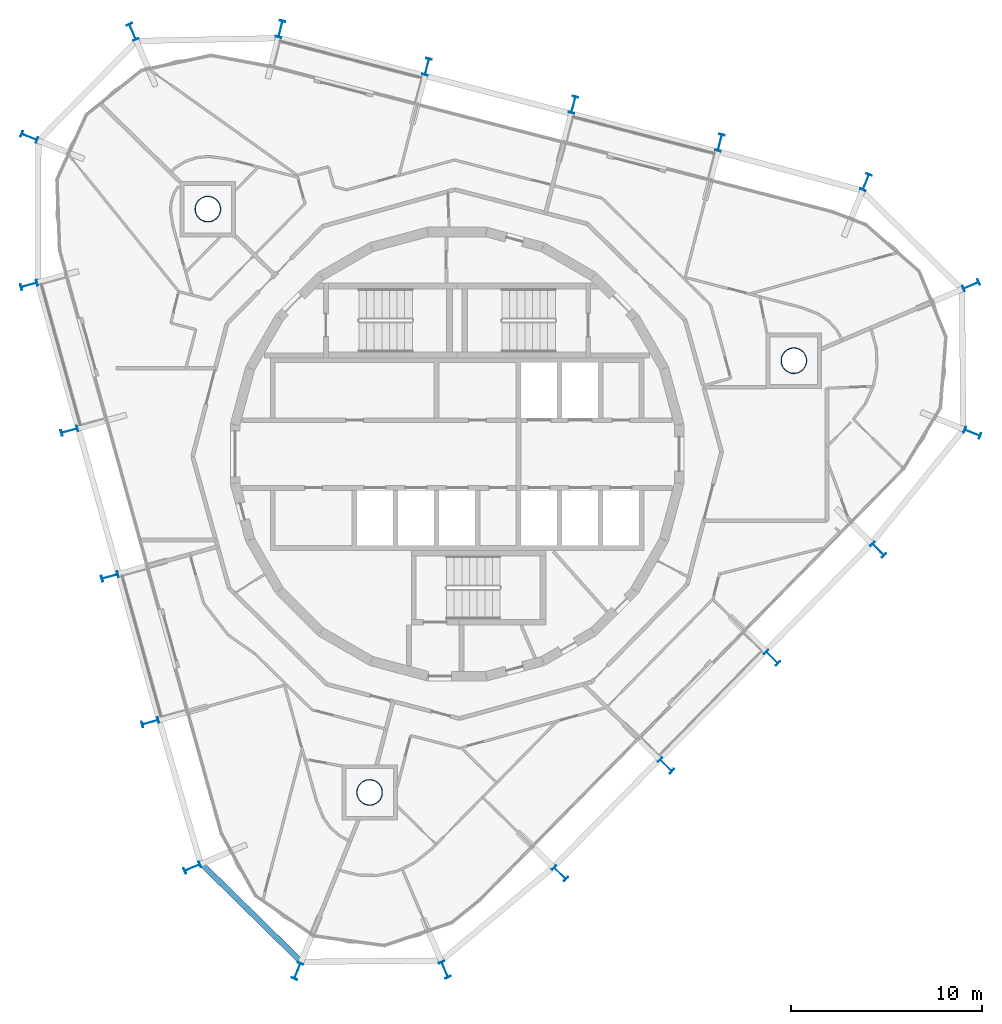
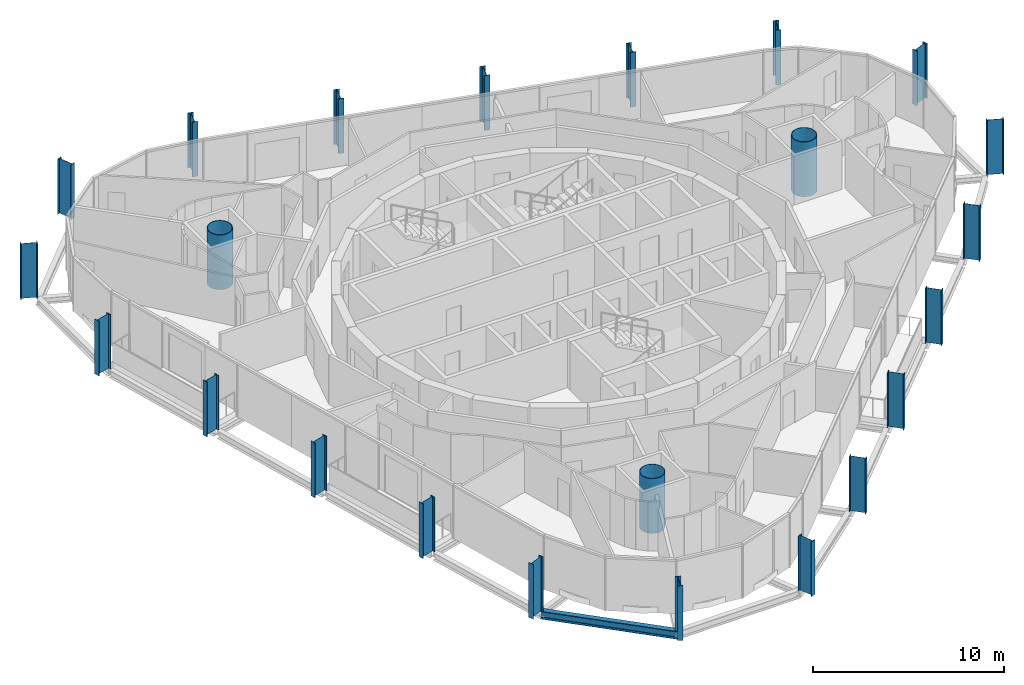
# One storey, part 1 of 16: 23 columns, 1 beam.
"""IFC4 building model written with IfcOpenShell, lengths in metres."""

from ifc_helpers import new_model, si_unit, direction, frame, origin, origin_2d, place, context, subcontext, project, spatial, hollow_circle, i_section, extrude, material, material_profile, profile_set, type_object, element, save


model = new_model("IFC4")

# Units and contexts
model_context = context("Model", 3, precision=1e-05, world=origin(), true_north=direction((0.0, 1.0)))
body_context = subcontext(model_context, "Body", "Model", "MODEL_VIEW")
ifc_project = project(units=[si_unit("LENGTHUNIT", "METRE"), si_unit("AREAUNIT", "SQUARE_METRE"), si_unit("VOLUMEUNIT", "CUBIC_METRE"), si_unit("PLANEANGLEUNIT", "RADIAN"), si_unit("MASSUNIT", "GRAM", prefix="KILO")], contexts=[model_context])

# Site, building, storey
site_placement = place(None, origin())
site = spatial("IfcSite", under=ifc_project, at=site_placement, CompositionType="ELEMENT")
building_placement = place(site_placement, origin())
building = spatial("IfcBuilding", under=site, at=building_placement, Name="Spindle Arch Residences", CompositionType="ELEMENT")
storey_placement = place(building_placement, frame((0.0, 0.0, 301.699951171875)))
storey = spatial("IfcBuildingStorey", under=building, at=storey_placement, Name="L77", CompositionType="ELEMENT", Elevation=301.699951171875)

# Columns
ifc_material_1 = material(Name="Steel S460ML, intumescent coating R 240", Category="steel")
ifc_material_profile_1 = material_profile(ifc_material_1, i_section(OverallWidth=0.300048828125, OverallDepth=0.89990234375, WebThickness=0.0185546875, FlangeThickness=0.034912109375, FilletRadius=0.030029296875, at=origin_2d()), Name="HEB 900")
ifc_profile_set_1 = profile_set([ifc_material_profile_1], Name="Steel S460ML, intumescent coating R 240")
column_type_1 = type_object("IfcColumnType", Name="Exoskeleton post HEB 900", PredefinedType="COLUMN", material=ifc_profile_set_1)
for number, where, z_axis, x_axis, name in (
    (1, (16.521484375, -10.6728515625, -0.3798828125), (0.0, 0.0, 1.0), (-0.70090935439, -0.713250360623, 0.0), "Exoskeleton post 1"),
    (2, (22.083251953125, -5.01318359375, -0.3798828125), (0.0, 0.0, 1.0), (-0.70090935439, -0.713250360623, 0.0), "Exoskeleton post 2"),
    (3, (27.0263671875, 1.11279296875, -0.3798828125), (0.0, 0.0, 1.0), (-0.374802818249, -0.927104550433, 0.0), "Exoskeleton post 3"),
    (4, (26.959716796875, 8.84521484375, -0.3798828125), (0.0, 0.0, 1.0), (0.390770126794, -0.920488298679, 0.0), "Exoskeleton post 4"),
    (5, (21.443359375, 14.263916015625, -0.3798828125), (0.0, 0.0, 1.0), (0.927294785217, -0.374331913293, 0.0), "Exoskeleton post 5"),
    (6, (13.7861328125, 16.3330078125, -0.3798828125), (0.0, 0.0, 1.0), (0.968147663906, -0.250379913079, 0.0), "Exoskeleton post 6"),
    (7, (6.10400390625, 18.31982421875, -0.3798828125), (0.0, 0.0, 1.0), (0.968147663906, -0.250379913079, 0.0), "Exoskeleton post 7"),
    (8, (-1.57861328125, 20.306640625, -0.3798828125), (0.0, 0.0, 1.0), (0.968147663906, -0.250379913079, 0.0), "Exoskeleton post 8"),
    (9, (-9.2607421875, 22.29345703125, -0.3798828125), (0.0, 0.0, 1.0), (0.968147663906, -0.250379913079, 0.0), "Exoskeleton post 9"),
    (10, (-17.0185546875, 22.144775390625, -0.3798828125), (0.0, 0.0, 1.0), (0.920554476886, 0.39061420236, 0.0), "Exoskeleton post 10"),
    (11, (-22.4384765625, 16.62939453125, -0.3798828125), (0.0, 0.0, 1.0), (0.374489123858, 0.927231306693, 0.0), "Exoskeleton post 11"),
    (12, (-22.45166015625, 8.870361328125, -0.3798828125), (0.0, 0.0, 1.0), (-0.267238143562, 0.963630517691, 0.0), "Exoskeleton post 12"),
    (13, (-20.3310546875, 1.223876953125, -0.3798828125), (0.0, 0.0, 1.0), (-0.267238143562, 0.963630517691, 0.0), "Exoskeleton post 13"),
    (14, (-18.210693359375, -6.422607421875, -0.3798828125), (0.0, 0.0, 1.0), (-0.267238143562, 0.963630517691, 0.0), "Exoskeleton post 14"),
    (15, (-16.090087890625, -14.069091796875, -0.3798828125), (0.0, 0.0, 1.0), (-0.267238143562, 0.963630517691, 0.0), "Exoskeleton post 15"),
    (16, (-13.887451171875, -21.68896484375, -0.3798828125), (0.0, 0.0, 1.0), (-0.390457907184, 0.920620781167, 0.0), "Exoskeleton post 16"),
    (17, (-8.373291015625, -27.10986328125, -0.3798828125), (0.0, 0.0, 1.0), (-0.9271679418, 0.374645976487, 0.0), "Exoskeleton post 17"),
    (18, (-0.640869140625, -27.041748046875, -0.3798828125), (0.0, 0.0, 1.0), (-0.920422094083, -0.390926039967, 0.0), "Exoskeleton post 18"),
    (19, (5.397705078125, -21.9921875, -0.3798828125), (0.0, 0.0, 1.0), (-0.70090935439, -0.713250360623, 0.0), "Exoskeleton post 19"),
    (20, (10.959716796875, -16.33251953125, -0.3798828125), (0.0, 0.0, 1.0), (-0.70090935439, -0.713250360623, 0.0), "Exoskeleton post 20"),
):
    element("IfcColumn", number, at=place(storey_placement, frame(where, z_axis=z_axis, x_axis=x_axis)), inside=storey, type_object=column_type_1, Name=name, PredefinedType="COLUMN", context=body_context, shape_type="SweptSolid", body=[
        extrude(i_section(OverallWidth=0.300048828125, OverallDepth=0.89990234375, WebThickness=0.0185546875, FlangeThickness=0.034912109375, FilletRadius=0.030029296875, at=origin_2d()), origin(), (0.0, 0.0, 1.0), 3.5),
    ])
ifc_material_2 = material(Name="Concrete C50/60 filled steel tube S460ML, intumescent coating R 240", Category="concrete")
ifc_material_profile_2 = material_profile(ifc_material_2, hollow_circle(Radius=0.675048828125, WallThickness=0.030029296875, at=origin_2d()), Name="CFT D1350x30")
ifc_profile_set_2 = profile_set([ifc_material_profile_2], Name="Concrete C50/60 filled steel tube S460ML, intumescent coating R 240")
column_type_2 = type_object("IfcColumnType", Name="Mega-column CFT D1350x30", PredefinedType="COLUMN", material=ifc_profile_set_2)
for number, where, z_axis, x_axis, name in (
    (21, (17.66259765625, 4.898193359375, -0.3798828125), (0.0, 0.0, 1.0), (1.0, 0.0, 0.0), "Mega-column 1"),
    (22, (-13.0732421875, 12.84716796875, -0.3798828125), (0.0, 0.0, 1.0), (1.0, 0.0, 0.0), "Mega-column 2"),
    (23, (-4.58935546875, -17.745361328125, -0.3798828125), (0.0, 0.0, 1.0), (1.0, 0.0, 0.0), "Mega-column 3"),
):
    element("IfcColumn", number, at=place(storey_placement, frame(where, z_axis=z_axis, x_axis=x_axis)), inside=storey, type_object=column_type_2, Name=name, PredefinedType="COLUMN", context=body_context, shape_type="SweptSolid", body=[
        extrude(hollow_circle(Radius=0.675048828125, WallThickness=0.030029296875, at=origin_2d()), origin(), (0.0, 0.0, 1.0), 3.5),
    ])

# Beam
ifc_material_3 = material(Name="Steel S460ML, intumescent coating R 120", Category="steel")
ifc_material_profile_3 = material_profile(ifc_material_3, i_section(OverallWidth=0.300048828125, OverallDepth=0.5, WebThickness=0.014404296875, FlangeThickness=0.028076171875, FilletRadius=0.027099609375, at=origin_2d()), Name="HEB 500")
ifc_profile_set_3 = profile_set([ifc_material_profile_3], Name="Steel S460ML, intumescent coating R 120")
beam_type = type_object("IfcBeamType", Name="Exoskeleton edge beam HEB 500", PredefinedType="BEAM", material=ifc_profile_set_3)
beam_placement = place(storey_placement, frame((-13.458251953125, -21.437744140625, -0.6298828125), z_axis=(0.713108879245, -0.701053297789, 0.0), x_axis=(0.701053297789, 0.713108879245, 0.0)))
element("IfcBeam", 24, at=beam_placement, inside=storey, type_object=beam_type, Name="Exoskeleton edge beam 16", PredefinedType="BEAM", context=body_context, shape_type="SweptSolid", body=[
    extrude(i_section(OverallWidth=0.300048828125, OverallDepth=0.5, WebThickness=0.014404296875, FlangeThickness=0.028076171875, FilletRadius=0.027099609375, at=origin_2d()), origin(), (0.0, 0.0, 1.0), 7.47265625),
])

save(model, "model.ifc")
